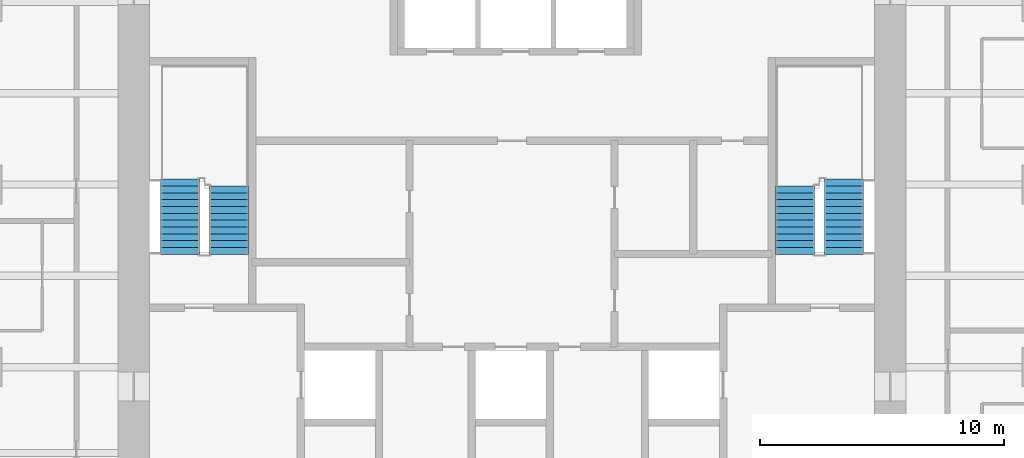
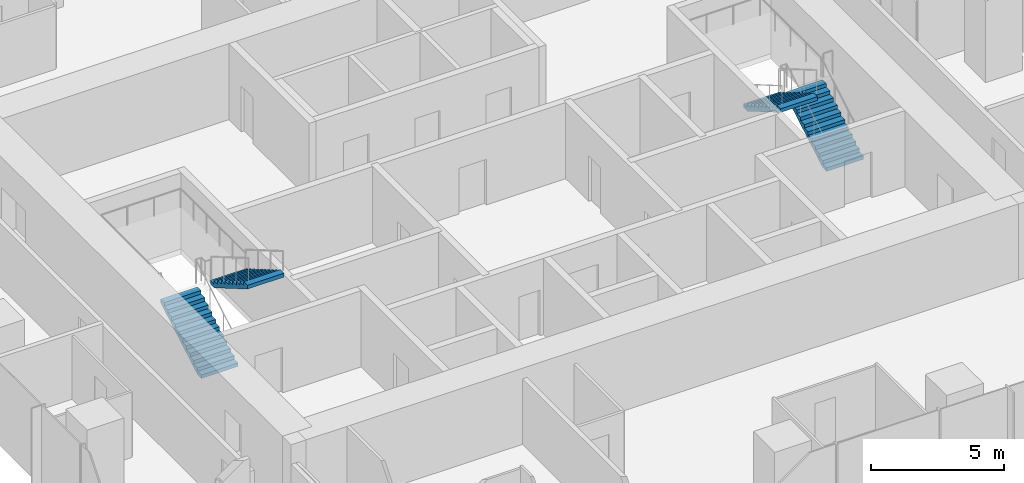
# One storey, part 11 of 12: 4 stair flights, 2 elements without a shape of their own.
"""IFC4 building model written with IfcOpenShell, lengths in metres."""

from ifc_helpers import new_model, si_unit, direction, frame, origin, place, context, subcontext, project, spatial, polyline, outline, extrude, material, type_object, element, aggregate, save


model = new_model("IFC4")

# Units and contexts
model_context = context("Model", 3, precision=1e-05, world=origin(), true_north=direction((0.0, 1.0)))
body_context = subcontext(model_context, "Body", "Model", "MODEL_VIEW")
ifc_project = project(units=[si_unit("LENGTHUNIT", "METRE"), si_unit("AREAUNIT", "SQUARE_METRE"), si_unit("VOLUMEUNIT", "CUBIC_METRE"), si_unit("PLANEANGLEUNIT", "RADIAN"), si_unit("MASSUNIT", "GRAM", prefix="KILO")], contexts=[model_context])

# Site, building, storey
site_placement = place(None, origin())
site = spatial("IfcSite", under=ifc_project, at=site_placement, CompositionType="ELEMENT")
building_placement = place(site_placement, origin())
building = spatial("IfcBuilding", under=site, at=building_placement, Name="Khuree Lantern Residences", CompositionType="ELEMENT")
storey_placement = place(building_placement, frame((0.0, 0.0, 338.25)))
storey = spatial("IfcBuildingStorey", under=building, at=storey_placement, Name="L85", CompositionType="ELEMENT", Elevation=338.25)

# Stair, stair flights
ifc_material = material(Name="Concrete C40/50", Category="concrete")
stair_type = type_object("IfcStairType", Name="STAIR ST1 HALF TURN 3600", PredefinedType="HALF_TURN_STAIR", material=ifc_material)
stair_1_placement = place(storey_placement, origin())
stair_1 = element("IfcStair", 1, at=stair_1_placement, inside=storey, type_object=stair_type, Name="Stair ST1", PredefinedType="HALF_TURN_STAIR")
stair_flight_type = type_object("IfcStairFlightType", Name="STAIR FLIGHT SF1 1600", PredefinedType="STRAIGHT", material=ifc_material)
stair_flight_1_placement = place(storey_placement, frame((-13.60009765625, -2.860107421875, 0.0), z_axis=(0.0, 0.0, 1.0), x_axis=(0.0, 1.0, 0.0)))
stair_flight_1 = element("IfcStairFlight", 2, at=stair_flight_1_placement, type_object=stair_flight_type, Name="ST1 flight 1", NumberOfRisers=12, NumberOfTreads=11, PredefinedType="STRAIGHT", RiserHeight=0.163043478, TreadLength=0.28, context=body_context, shape_type="SweptSolid", body=[
    extrude(outline(polyline([(0.0, 0.0), (0.0, 0.1630859375), (0.280029296875, 0.1630859375), (0.280029296875, 0.326171875), (0.56005859375, 0.326171875), (0.56005859375, 0.489013671875), (0.840087890625, 0.489013671875), (0.840087890625, 0.652099609375), (1.1201171875, 0.652099609375), (1.1201171875, 0.815185546875), (1.39990234375, 0.815185546875), (1.39990234375, 0.978271484375), (1.679931640625, 0.978271484375), (1.679931640625, 1.141357421875), (1.9599609375, 1.141357421875), (1.9599609375, 1.304443359375), (2.239990234375, 1.304443359375), (2.239990234375, 1.46728515625), (2.52001953125, 1.46728515625), (2.52001953125, 1.63037109375), (2.800048828125, 1.63037109375), (2.800048828125, 1.79345703125), (3.080078125, 1.79345703125), (3.080078125, 1.95654296875), (3.080078125, 1.6201171875), (0.2978515625, 0.0), (0.0, 0.0)])), frame((0.0, 0.800048828125, 0.0), z_axis=(0.0, -1.0, 0.0), x_axis=(1.0, 0.0, 0.0)), (0.0, 0.0, 1.0), 1.60009765625),
])
stair_flight_2_placement = place(storey_placement, frame((-11.60009765625, -0.06005859375, 1.95654296875), z_axis=(0.0, 0.0, 1.0), x_axis=(0.0, -1.0, 0.0)))
stair_flight_2 = element("IfcStairFlight", 3, at=stair_flight_2_placement, type_object=stair_flight_type, Name="ST1 flight 2", NumberOfRisers=11, NumberOfTreads=10, PredefinedType="STRAIGHT", RiserHeight=0.163043478, TreadLength=0.28, context=body_context, shape_type="SweptSolid", body=[
    extrude(outline(polyline([(0.0, 0.0), (0.0, 0.1630859375), (0.280029296875, 0.1630859375), (0.280029296875, 0.326171875), (0.56005859375, 0.326171875), (0.56005859375, 0.489013671875), (0.840087890625, 0.489013671875), (0.840087890625, 0.652099609375), (1.1201171875, 0.652099609375), (1.1201171875, 0.815185546875), (1.39990234375, 0.815185546875), (1.39990234375, 0.978271484375), (1.679931640625, 0.978271484375), (1.679931640625, 1.141357421875), (1.9599609375, 1.141357421875), (1.9599609375, 1.304443359375), (2.239990234375, 1.304443359375), (2.239990234375, 1.46728515625), (2.52001953125, 1.46728515625), (2.52001953125, 1.63037109375), (2.800048828125, 1.63037109375), (2.800048828125, 1.79345703125), (2.800048828125, 1.45703125), (0.2978515625, 0.0), (0.0, 0.0)])), frame((0.0, 0.800048828125, 0.0), z_axis=(0.0, -1.0, 0.0), x_axis=(1.0, 0.0, 0.0)), (0.0, 0.0, 1.0), 1.60009765625),
])
aggregate(stair_1, [stair_flight_1, stair_flight_2])

stair_2_placement = place(storey_placement, origin())
stair_2 = element("IfcStair", 4, at=stair_2_placement, inside=storey, type_object=stair_type, Name="Stair ST2", PredefinedType="HALF_TURN_STAIR")
stair_flight_3_placement = place(storey_placement, frame((13.60009765625, -2.860107421875, 0.0), z_axis=(0.0, 0.0, 1.0), x_axis=(0.0, 1.0, 0.0)))
stair_flight_3 = element("IfcStairFlight", 5, at=stair_flight_3_placement, type_object=stair_flight_type, Name="ST2 flight 1", NumberOfRisers=12, NumberOfTreads=11, PredefinedType="STRAIGHT", RiserHeight=0.163043478, TreadLength=0.28, context=body_context, shape_type="SweptSolid", body=[
    extrude(outline(polyline([(0.0, 0.0), (0.0, 0.1630859375), (0.280029296875, 0.1630859375), (0.280029296875, 0.326171875), (0.56005859375, 0.326171875), (0.56005859375, 0.489013671875), (0.840087890625, 0.489013671875), (0.840087890625, 0.652099609375), (1.1201171875, 0.652099609375), (1.1201171875, 0.815185546875), (1.39990234375, 0.815185546875), (1.39990234375, 0.978271484375), (1.679931640625, 0.978271484375), (1.679931640625, 1.141357421875), (1.9599609375, 1.141357421875), (1.9599609375, 1.304443359375), (2.239990234375, 1.304443359375), (2.239990234375, 1.46728515625), (2.52001953125, 1.46728515625), (2.52001953125, 1.63037109375), (2.800048828125, 1.63037109375), (2.800048828125, 1.79345703125), (3.080078125, 1.79345703125), (3.080078125, 1.95654296875), (3.080078125, 1.6201171875), (0.2978515625, 0.0), (0.0, 0.0)])), frame((0.0, 0.800048828125, 0.0), z_axis=(0.0, -1.0, 0.0), x_axis=(1.0, 0.0, 0.0)), (0.0, 0.0, 1.0), 1.60009765625),
])
stair_flight_4_placement = place(storey_placement, frame((11.60009765625, -0.06005859375, 1.95654296875), z_axis=(0.0, 0.0, 1.0), x_axis=(0.0, -1.0, 0.0)))
stair_flight_4 = element("IfcStairFlight", 6, at=stair_flight_4_placement, type_object=stair_flight_type, Name="ST2 flight 2", NumberOfRisers=11, NumberOfTreads=10, PredefinedType="STRAIGHT", RiserHeight=0.163043478, TreadLength=0.28, context=body_context, shape_type="SweptSolid", body=[
    extrude(outline(polyline([(0.0, 0.0), (0.0, 0.1630859375), (0.280029296875, 0.1630859375), (0.280029296875, 0.326171875), (0.56005859375, 0.326171875), (0.56005859375, 0.489013671875), (0.840087890625, 0.489013671875), (0.840087890625, 0.652099609375), (1.1201171875, 0.652099609375), (1.1201171875, 0.815185546875), (1.39990234375, 0.815185546875), (1.39990234375, 0.978271484375), (1.679931640625, 0.978271484375), (1.679931640625, 1.141357421875), (1.9599609375, 1.141357421875), (1.9599609375, 1.304443359375), (2.239990234375, 1.304443359375), (2.239990234375, 1.46728515625), (2.52001953125, 1.46728515625), (2.52001953125, 1.63037109375), (2.800048828125, 1.63037109375), (2.800048828125, 1.79345703125), (2.800048828125, 1.45703125), (0.2978515625, 0.0), (0.0, 0.0)])), frame((0.0, 0.800048828125, 0.0), z_axis=(0.0, -1.0, 0.0), x_axis=(1.0, 0.0, 0.0)), (0.0, 0.0, 1.0), 1.60009765625),
])
aggregate(stair_2, [stair_flight_3, stair_flight_4])

save(model, "model.ifc")
